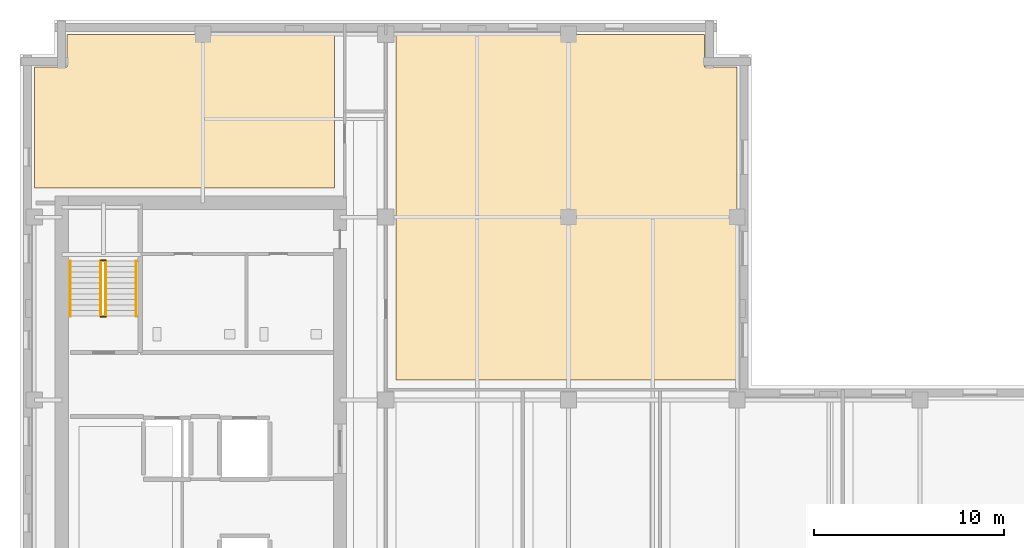
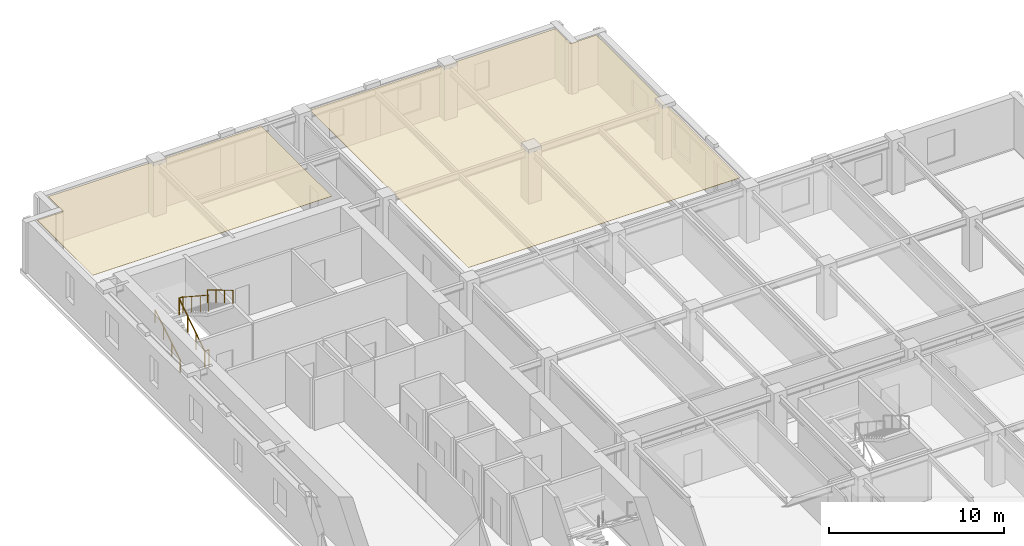
# One storey, part 10 of 11: 6 railings, 2 coverings.
"""IFC4 building model written with IfcOpenShell, lengths in metres."""

from ifc_helpers import new_model, si_unit, direction, frame, origin, origin_2d, place, context, subcontext, project, spatial, polyline, circle, outline, extrude, material, layer, layer_set, type_object, element, save


model = new_model("IFC4")

# Units and contexts
model_context = context("Model", 3, precision=1e-05, world=origin(), true_north=direction((0.0, 1.0)))
body_context = subcontext(model_context, "Body", "Model", "MODEL_VIEW")
ifc_project = project(units=[si_unit("LENGTHUNIT", "METRE"), si_unit("AREAUNIT", "SQUARE_METRE"), si_unit("VOLUMEUNIT", "CUBIC_METRE"), si_unit("PLANEANGLEUNIT", "RADIAN"), si_unit("MASSUNIT", "GRAM", prefix="KILO")], contexts=[model_context])

# Site, building, storey
site_placement = place(None, origin())
site = spatial("IfcSite", under=ifc_project, at=site_placement, CompositionType="ELEMENT")
building_placement = place(site_placement, origin())
building = spatial("IfcBuilding", under=site, at=building_placement, Name="Norrvale University Quadrangle", CompositionType="ELEMENT")
storey_placement = place(building_placement, frame((0.0, 0.0, 210.39990234375)))
storey = spatial("IfcBuildingStorey", under=building, at=storey_placement, Name="L53", CompositionType="ELEMENT", Elevation=210.39990234375)

# Coverings
ifc_material_1 = material(Name="Perforated Acoustic Mineral Ceiling")
ifc_layer = layer(ifc_material_1, 0.02490234375, Name="Perforated Acoustic Mineral Ceiling")
ifc_layer_set = layer_set([ifc_layer], Name="Perforated Acoustic Mineral Ceiling")
covering_type = type_object("IfcCoveringType", Name="Covering Acoustic Ceiling 25", PredefinedType="CEILING", material=ifc_layer_set)
covering_1_placement = place(storey_placement, frame((0.0, 0.0, 3.51513671875)))
element("IfcCovering", 1, at=covering_1_placement, inside=storey, type_object=covering_type, Name="Acoustic Ceiling RM-L53-NE01", PredefinedType="CEILING", context=body_context, shape_type="SweptSolid", body=[
    extrude(outline(polyline([(37.64990234375, 38.7099609375), (19.72998046875, 38.7099609375), (19.72998046875, 56.85009765625), (35.929931640625, 56.85009765625), (35.929931640625, 55.1298828125), (37.64990234375, 55.1298828125), (37.64990234375, 38.7099609375)])), origin(), (0.0, 0.0, 1.0), 0.02490234375),
])
covering_2_placement = place(storey_placement, frame((0.0, 0.0, 3.51513671875)))
element("IfcCovering", 2, at=covering_2_placement, inside=storey, type_object=covering_type, Name="Acoustic Ceiling RM-L53-NW01", PredefinedType="CEILING", context=body_context, shape_type="SweptSolid", body=[
    extrude(outline(polyline([(16.52001953125, 56.85009765625), (16.52001953125, 48.780029296875), (0.75, 48.780029296875), (0.75, 55.1298828125), (2.469970703125, 55.1298828125), (2.469970703125, 56.85009765625), (16.52001953125, 56.85009765625)])), origin(), (0.0, 0.0, 1.0), 0.02490234375),
])

# Railings
ifc_material_2 = material(Name="Steel 350W Painted Balustrade", Category="steel")
railing_type_1 = type_object("IfcRailingType", Name="Railing Stair Guard 1100", PredefinedType="GUARDRAIL", material=ifc_material_2)
for number, where, name in (
    (3, (4.239990234375, 42.02001953125, 0.0), "Stair Floor Well Guard ST-02 L53"),
    (4, (4.239990234375, 44.97998046875, 1.900146484375), "Stair Mid-Landing Slot Guard ST-02 L53"),
):
    element("IfcRailing", number, at=place(storey_placement, frame(where)), inside=storey, type_object=railing_type_1, Name=name, PredefinedType="GUARDRAIL", context=body_context, shape_type="SweptSolid", body=[
        extrude(circle(Radius=0.02392578125, at=origin_2d()), frame((0.0, 0.0, 1.1259765625), z_axis=(1.0, 0.0, 0.0), x_axis=(0.0, 1.0, 0.0)), (0.0, 0.0, 1.0), 0.27001953125),
        extrude(circle(Radius=0.02099609375, at=origin_2d()), origin(), (0.0, 0.0, 1.0), 1.101806640625),
        extrude(circle(Radius=0.02099609375, at=origin_2d()), frame((0.27001953125, 0.0, 0.0)), (0.0, 0.0, 1.0), 1.101806640625),
    ])
railing_1_placement = place(storey_placement, frame((4.239990234375, 42.050048828125, 0.0)))
element("IfcRailing", 5, at=railing_1_placement, inside=storey, type_object=railing_type_1, Name="Stair Lower Flight Inner Guard ST-02 L53", PredefinedType="GUARDRAIL", context=body_context, shape_type="SweptSolid", body=[
    extrude(circle(Radius=0.02392578125, at=origin_2d()), frame((0.0, 0.0, 1.1259765625), z_axis=(0.0, 0.836433300813, 0.548068730445), x_axis=(-1.0, 0.0, 0.0)), (0.0, 0.0, 1.0), 3.467041015625),
    extrude(circle(Radius=0.02099609375, at=origin_2d()), origin(), (0.0, 0.0, 1.0), 1.101806640625),
    extrude(circle(Radius=0.02099609375, at=origin_2d()), frame((0.0, 0.966552734375, 0.63330078125)), (0.0, 0.0, 1.0), 1.101806640625),
    extrude(circle(Radius=0.02099609375, at=origin_2d()), frame((0.0, 1.933349609375, 1.266845703125)), (0.0, 0.0, 1.0), 1.101806640625),
    extrude(circle(Radius=0.02099609375, at=origin_2d()), frame((0.0, 2.89990234375, 1.900146484375)), (0.0, 0.0, 1.0), 1.101806640625),
])
railing_2_placement = place(storey_placement, frame((4.510009765625, 44.949951171875, 1.900146484375)))
element("IfcRailing", 6, at=railing_2_placement, inside=storey, type_object=railing_type_1, Name="Stair Upper Flight Inner Guard ST-02 L53", PredefinedType="GUARDRAIL", context=body_context, shape_type="SweptSolid", body=[
    extrude(circle(Radius=0.02392578125, at=origin_2d()), frame((0.0, 0.0, 1.1259765625), z_axis=(0.0, -0.836465582154, 0.548019461216), x_axis=(1.0, 0.0, 0.0)), (0.0, 0.0, 1.0), 3.466796875),
    extrude(circle(Radius=0.02099609375, at=origin_2d()), origin(), (0.0, 0.0, 1.0), 1.101806640625),
    extrude(circle(Radius=0.02099609375, at=origin_2d()), frame((0.0, -0.966552734375, 0.63330078125)), (0.0, 0.0, 1.0), 1.101806640625),
    extrude(circle(Radius=0.02099609375, at=origin_2d()), frame((0.0, -1.933349609375, 1.2666015625)), (0.0, 0.0, 1.0), 1.101806640625),
    extrude(circle(Radius=0.02099609375, at=origin_2d()), frame((0.0, -2.89990234375, 1.89990234375)), (0.0, 0.0, 1.0), 1.101806640625),
])
ifc_material_3 = material(Name="Stainless Steel 316L Handrail", Category="steel")
railing_type_2 = type_object("IfcRailingType", Name="Railing Stair Handrail 920", PredefinedType="HANDRAIL", material=ifc_material_3)
railing_3_placement = place(storey_placement, frame((2.639892578125, 42.050048828125, 0.1728515625)))
element("IfcRailing", 7, at=railing_3_placement, inside=storey, type_object=railing_type_2, Name="Stair Lower Flight Handrail ST-02 L53", PredefinedType="HANDRAIL", context=body_context, shape_type="SweptSolid", body=[
    extrude(circle(Radius=0.02392578125, at=origin_2d()), frame((0.0, 0.0, 0.89599609375), z_axis=(0.0, 0.859141464434, 0.511738159696), x_axis=(-1.0, 0.0, 0.0)), (0.0, 0.0, 1.0), 3.375244140625),
    extrude(circle(Radius=0.02099609375, at=origin_2d()), origin(), (0.0, 0.0, 1.0), 0.871826171875),
    extrude(circle(Radius=0.02099609375, at=origin_2d()), frame((0.0, 0.966552734375, 0.57568359375)), (0.0, 0.0, 1.0), 0.871826171875),
    extrude(circle(Radius=0.02099609375, at=origin_2d()), frame((0.0, 1.933349609375, 1.151611328125)), (0.0, 0.0, 1.0), 0.871826171875),
    extrude(circle(Radius=0.02099609375, at=origin_2d()), frame((0.0, 2.89990234375, 1.727294921875)), (0.0, 0.0, 1.0), 0.871826171875),
])
railing_4_placement = place(storey_placement, frame((6.110107421875, 44.949951171875, 2.07275390625)))
element("IfcRailing", 8, at=railing_4_placement, inside=storey, type_object=railing_type_2, Name="Stair Upper Flight Handrail ST-02 L53", PredefinedType="HANDRAIL", context=body_context, shape_type="SweptSolid", body=[
    extrude(circle(Radius=0.02392578125, at=origin_2d()), frame((0.0, 0.0, 0.89599609375), z_axis=(0.0, -0.859141464434, 0.511738159696), x_axis=(1.0, 0.0, 0.0)), (0.0, 0.0, 1.0), 3.375244140625),
    extrude(circle(Radius=0.02099609375, at=origin_2d()), origin(), (0.0, 0.0, 1.0), 0.871826171875),
    extrude(circle(Radius=0.02099609375, at=origin_2d()), frame((0.0, -0.966552734375, 0.57568359375)), (0.0, 0.0, 1.0), 0.871826171875),
    extrude(circle(Radius=0.02099609375, at=origin_2d()), frame((0.0, -1.933349609375, 1.151611328125)), (0.0, 0.0, 1.0), 0.871826171875),
    extrude(circle(Radius=0.02099609375, at=origin_2d()), frame((0.0, -2.89990234375, 1.727294921875)), (0.0, 0.0, 1.0), 0.871826171875),
])

save(model, "model.ifc")
